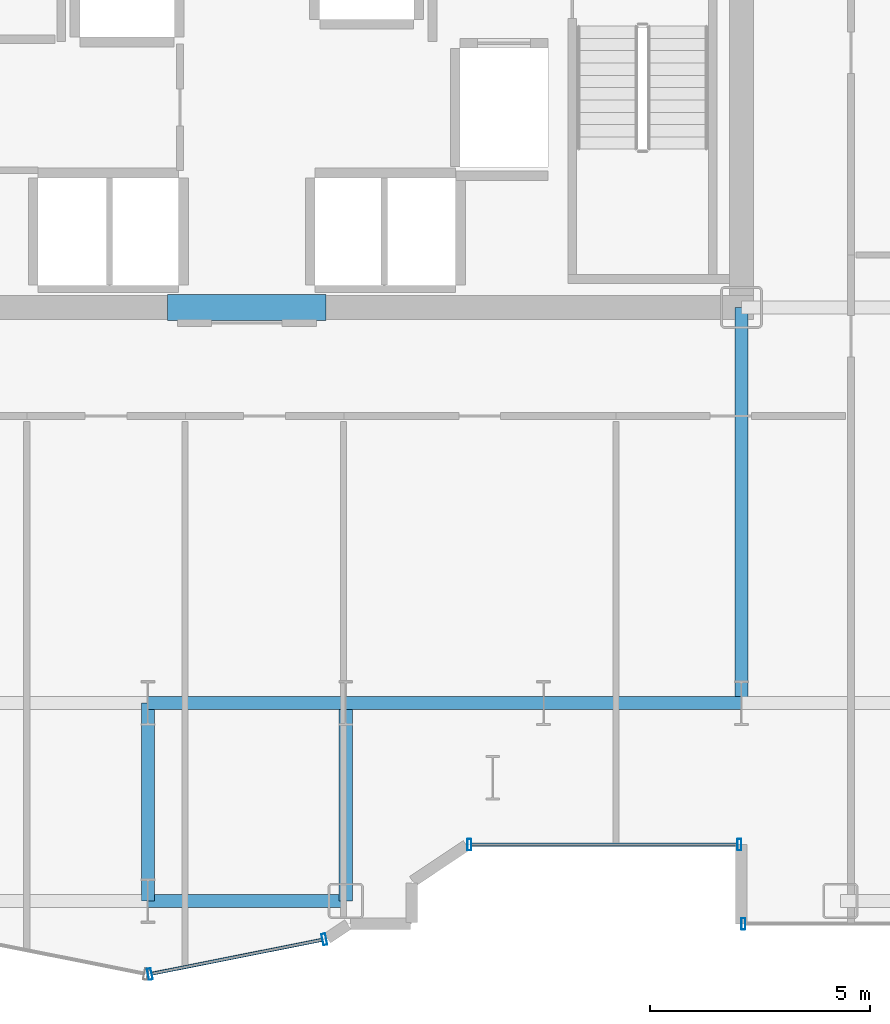
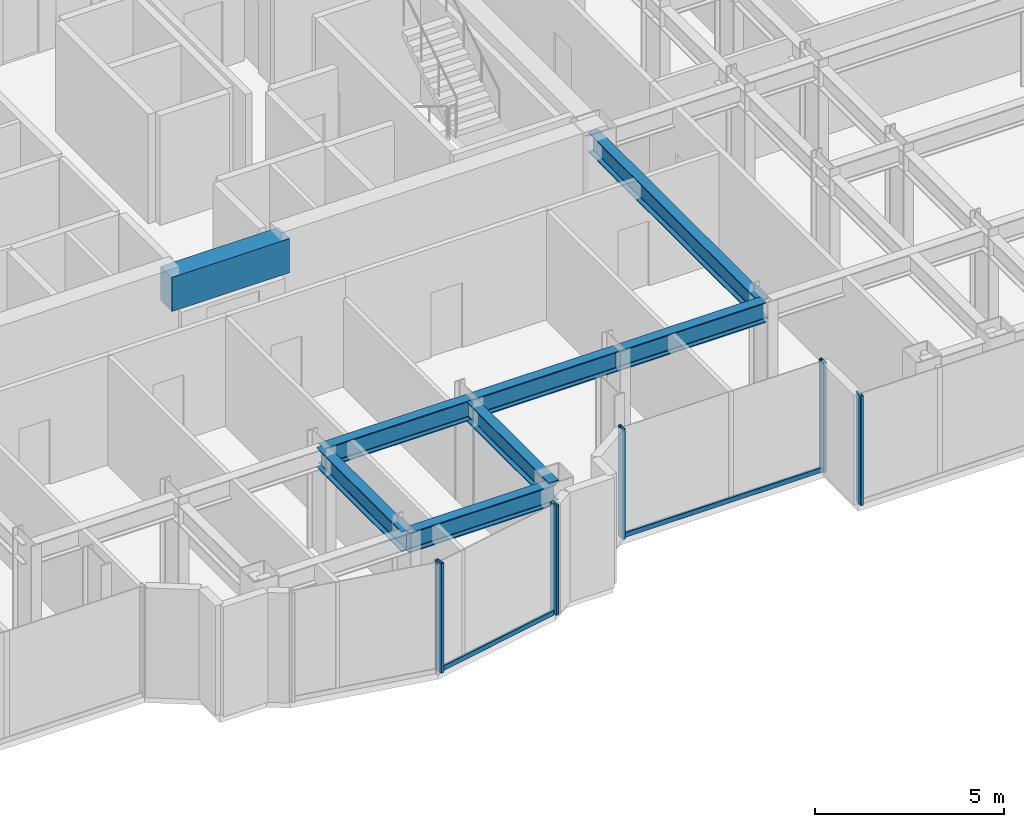
# One storey, part 6 of 26: 8 beams, 7 members, 3 elements without a shape of their own.
"""IFC4 building model written with IfcOpenShell, lengths in metres."""

from ifc_helpers import new_model, si_unit, direction, frame, origin, origin_2d, place, context, subcontext, project, spatial, rectangle, hollow_rectangle, i_section, extrude, source, transform, mapped, material, layer, layer_set, material_profile, profile_set, type_object, element, aggregate, save


model = new_model("IFC4")

# Units and contexts
model_context = context("Model", 3, precision=1e-05, world=origin(), true_north=direction((0.0, 1.0)))
body_context = subcontext(model_context, "Body", "Model", "MODEL_VIEW")
ifc_project = project(units=[si_unit("LENGTHUNIT", "METRE"), si_unit("AREAUNIT", "SQUARE_METRE"), si_unit("VOLUMEUNIT", "CUBIC_METRE"), si_unit("PLANEANGLEUNIT", "RADIAN"), si_unit("MASSUNIT", "GRAM", prefix="KILO")], contexts=[model_context])

# Site, building, storey
site_placement = place(None, origin())
site = spatial("IfcSite", under=ifc_project, at=site_placement, CompositionType="ELEMENT")
building_placement = place(site_placement, origin())
building = spatial("IfcBuilding", under=site, at=building_placement, Name="Nefas-Gora Pilgrimage Tower", CompositionType="ELEMENT")
storey_placement = place(building_placement, frame((0.0, 0.0, 117.39990234375)))
storey = spatial("IfcBuildingStorey", under=building, at=storey_placement, Name="L28", CompositionType="ELEMENT", Elevation=117.39990234375)

# Beams
ifc_material_1 = material(Name="Concrete C60/75", Category="concrete")
ifc_material_profile_1 = material_profile(ifc_material_1, rectangle(XDim=0.60009765625, YDim=1.10009765625, at=origin_2d()), Name="RC 600x1100")
ifc_profile_set_1 = profile_set([ifc_material_profile_1], Name="Concrete C60/75")
beam_type_1 = type_object("IfcBeamType", Name="BM-LIN-RC1100", PredefinedType="LINTEL", material=ifc_profile_set_1)
shared_shape_1 = source(origin(), body_context, "Body", "SweptSolid", [
    extrude(rectangle(XDim=0.60009765625, YDim=1.10009765625, at=origin_2d()), origin(), (0.0, 0.0, 1.0), 3.60009765625),
])
beam_1_placement = place(storey_placement, frame((-1.800048828125, -9.0, 3.0), z_axis=(1.0, 0.0, 0.0), x_axis=(0.0, 1.0, 0.0)))
element("IfcBeam", 1, at=beam_1_placement, inside=storey, type_object=beam_type_1, Name="L28 Core Coupling Lintel Beam S", PredefinedType="LINTEL", context=body_context, shape_type="MappedRepresentation", body=[
    mapped(shared_shape_1, transform((0.0, 0.0, 0.0), x_axis=(1.0, 0.0, 0.0), y_axis=(0.0, 1.0, 0.0), z_axis=(0.0, 0.0, 1.0), scale=1.0)),
])
ifc_material_2 = material(Name="Steel S355", Category="steel")
ifc_material_profile_2 = material_profile(ifc_material_2, i_section(OverallWidth=0.300048828125, OverallDepth=0.64990234375, WebThickness=0.01611328125, FlangeThickness=0.031005859375, FilletRadius=0.027099609375, at=origin_2d()), Name="HEB 650")
ifc_profile_set_2 = profile_set([ifc_material_profile_2], Name="Steel S355")
beam_type_2 = type_object("IfcBeamType", Name="BM-GIR-HEB650", PredefinedType="BEAM", material=ifc_profile_set_2)
shared_shape_2 = source(origin(), body_context, "Body", "SweptSolid", [
    extrude(i_section(OverallWidth=0.300048828125, OverallDepth=0.64990234375, WebThickness=0.01611328125, FlangeThickness=0.031005859375, FilletRadius=0.027099609375, at=origin_2d()), origin(), (0.0, 0.0, 1.0), 9.0),
])
beam_2_placement = place(storey_placement, frame((11.25, -18.0, 3.22509765625), z_axis=(0.0, 1.0, 0.0), x_axis=(-1.0, 0.0, 0.0)))
element("IfcBeam", 2, at=beam_2_placement, inside=storey, type_object=beam_type_2, Name="L28 G-03 beam", PredefinedType="BEAM", context=body_context, shape_type="MappedRepresentation", body=[
    mapped(shared_shape_2, transform((0.0, 0.0, 0.0), x_axis=(1.0, 0.0, 0.0), y_axis=(0.0, 1.0, 0.0), z_axis=(0.0, 0.0, 1.0), scale=1.0)),
])
shared_shape_3 = source(origin(), body_context, "Body", "SweptSolid", [
    extrude(i_section(OverallWidth=0.300048828125, OverallDepth=0.64990234375, WebThickness=0.01611328125, FlangeThickness=0.031005859375, FilletRadius=0.027099609375, at=origin_2d()), origin(), (0.0, 0.0, 1.0), 4.5),
])
for number, where, z_axis, x_axis, name in (
    (3, (-2.25, -22.5, 3.22509765625), (0.0, 1.0, 0.0), (-1.0, 0.0, 0.0), "L28 G-03 beam"),
    (4, (-2.25, -22.5, 3.22509765625), (1.0, 0.0, 0.0), (0.0, 1.0, 0.0), "L28 G-03 beam"),
    (5, (-2.25, -18.0, 3.22509765625), (1.0, 0.0, 0.0), (0.0, 1.0, 0.0), "L28 G-03 beam"),
    (6, (2.25, -22.5, 3.22509765625), (0.0, 1.0, 0.0), (-1.0, 0.0, 0.0), "L28 G-03 beam"),
    (7, (2.25, -18.0, 3.22509765625), (1.0, 0.0, 0.0), (0.0, 1.0, 0.0), "L28 G-03 beam"),
    (8, (6.75, -18.0, 3.22509765625), (1.0, 0.0, 0.0), (0.0, 1.0, 0.0), "L28 G-03 beam"),
):
    element("IfcBeam", number, at=place(storey_placement, frame(where, z_axis=z_axis, x_axis=x_axis)), inside=storey, type_object=beam_type_2, Name=name, PredefinedType="BEAM", context=body_context, shape_type="MappedRepresentation", body=[
        mapped(shared_shape_3, transform((0.0, 0.0, 0.0), x_axis=(1.0, 0.0, 0.0), y_axis=(0.0, 1.0, 0.0), z_axis=(0.0, 0.0, 1.0), scale=1.0)),
    ])

# Curtain wall, members
ifc_material_3 = material(Name="Dark ceramic-fritted solar-control aluminium-glass curtain wall", Category="aluminium")
ifc_layer_1 = layer(ifc_material_3, 0.219970703125)
ifc_layer_set_1 = layer_set([ifc_layer_1], Name="Dark ceramic-fritted solar-control aluminium-glass curtain wall")
curtain_wall_type_1 = type_object("IfcCurtainWallType", Name="CW-SYS-5", PredefinedType="NOTDEFINED", material=ifc_layer_set_1)
curtain_wall_1_placement = place(storey_placement, origin())
curtain_wall_1 = element("IfcCurtainWall", 9, at=curtain_wall_1_placement, inside=storey, type_object=curtain_wall_type_1, Name="L28 Unitised Curtain Wall CW5", PredefinedType="NOTDEFINED")
ifc_material_4 = material(Name="Anodised architectural aluminium", Category="aluminium")
ifc_material_profile_3 = material_profile(ifc_material_4, hollow_rectangle(XDim=0.090087890625, YDim=0.260009765625, WallThickness=0.006103515625, InnerFilletRadius=0.006103515625, OuterFilletRadius=0.011962890625, at=origin_2d()), Name="ALU MULLION 90x260")
ifc_profile_set_3 = profile_set([ifc_material_profile_3], Name="Anodised architectural aluminium")
member_type_1 = type_object("IfcMemberType", Name="CWM-MUL-5", PredefinedType="MULLION", material=ifc_profile_set_3)
shared_shape_4 = source(origin(), body_context, "Body", "SweptSolid", [
    extrude(hollow_rectangle(XDim=0.090087890625, YDim=0.260009765625, WallThickness=0.006103515625, InnerFilletRadius=0.006103515625, OuterFilletRadius=0.011962890625, at=origin_2d()), origin(), (0.0, 0.0, 1.0), 3.550048828125),
])
member_1_placement = place(storey_placement, frame((5.06298828125, -21.219970703125, 0.0), z_axis=(0.0, 0.0, 1.0), x_axis=(1.0, 0.0, 0.0)))
member_1 = element("IfcMember", 10, at=member_1_placement, type_object=member_type_1, Name="CW5 Mullion 1", PredefinedType="MULLION", context=body_context, shape_type="MappedRepresentation", body=[
    mapped(shared_shape_4, transform((0.0, 0.0, 0.0), x_axis=(1.0, 0.0, 0.0), y_axis=(0.0, 1.0, 0.0), z_axis=(0.0, 0.0, 1.0), scale=1.0)),
])
member_2_placement = place(storey_placement, frame((11.205078125, -21.219970703125, 0.0), z_axis=(0.0, 0.0, 1.0), x_axis=(1.0, 0.0, 0.0)))
member_2 = element("IfcMember", 11, at=member_2_placement, type_object=member_type_1, Name="CW5 Mullion 2", PredefinedType="MULLION", context=body_context, shape_type="MappedRepresentation", body=[
    mapped(shared_shape_4, transform((0.0, 0.0, 0.0), x_axis=(1.0, 0.0, 0.0), y_axis=(0.0, 1.0, 0.0), z_axis=(0.0, 0.0, 1.0), scale=1.0)),
])

curtain_wall_2_placement = place(storey_placement, origin())
curtain_wall_2 = element("IfcCurtainWall", 12, at=curtain_wall_2_placement, inside=storey, type_object=curtain_wall_type_1, Name="L28 Unitised Curtain Wall CW5", PredefinedType="NOTDEFINED")
member_3_placement = place(storey_placement, frame((-2.205810546875, -24.16357421875, 0.0), z_axis=(0.0, 0.0, 1.0), x_axis=(0.980782896852, 0.195102304554, 0.0)))
member_3 = element("IfcMember", 13, at=member_3_placement, type_object=member_type_1, Name="CW5 Mullion 1", PredefinedType="MULLION", context=body_context, shape_type="MappedRepresentation", body=[
    mapped(shared_shape_4, transform((0.0, 0.0, 0.0), x_axis=(1.0, 0.0, 0.0), y_axis=(0.0, 1.0, 0.0), z_axis=(0.0, 0.0, 1.0), scale=1.0)),
])
member_4_placement = place(storey_placement, frame((1.76318359375, -23.3740234375, 0.0), z_axis=(0.0, 0.0, 1.0), x_axis=(0.980782896852, 0.195102304554, 0.0)))
member_4 = element("IfcMember", 14, at=member_4_placement, type_object=member_type_1, Name="CW5 Mullion 2", PredefinedType="MULLION", context=body_context, shape_type="MappedRepresentation", body=[
    mapped(shared_shape_4, transform((0.0, 0.0, 0.0), x_axis=(1.0, 0.0, 0.0), y_axis=(0.0, 1.0, 0.0), z_axis=(0.0, 0.0, 1.0), scale=1.0)),
])

# Member
ifc_material_profile_4 = material_profile(ifc_material_4, hollow_rectangle(XDim=0.080078125, YDim=0.159912109375, WallThickness=0.00439453125, InnerFilletRadius=0.00439453125, OuterFilletRadius=0.009033203125, at=origin_2d()), Name="ALU TRANSOM 80x160")
ifc_profile_set_4 = profile_set([ifc_material_profile_4], Name="Anodised architectural aluminium")
member_type_2 = type_object("IfcMemberType", Name="CWM-TRN-5", PredefinedType="USERDEFINED", material=ifc_profile_set_4)
shared_shape_5 = source(origin(), body_context, "Body", "SweptSolid", [
    extrude(hollow_rectangle(XDim=0.080078125, YDim=0.159912109375, WallThickness=0.00439453125, InnerFilletRadius=0.00439453125, OuterFilletRadius=0.009033203125, at=origin_2d()), origin(), (0.0, 0.0, 1.0), 6.052001953125),
])
member_5_placement = place(storey_placement, frame((5.10791015625, -21.219970703125, 0.050048828125), z_axis=(1.0, 0.0, 0.0), x_axis=(0.0, 1.0, 0.0)))
member_5 = element("IfcMember", 15, at=member_5_placement, type_object=member_type_2, Name="CW5 Spandrel Transom", ObjectType="TRANSOM", PredefinedType="USERDEFINED", context=body_context, shape_type="MappedRepresentation", body=[
    mapped(shared_shape_5, transform((0.0, 0.0, 0.0), x_axis=(1.0, 0.0, 0.0), y_axis=(0.0, 1.0, 0.0), z_axis=(0.0, 0.0, 1.0), scale=1.0)),
])

aggregate(curtain_wall_1, [member_1, member_2, member_5])

# Curtain wall, member
ifc_layer_2 = layer(ifc_material_3, 0.219970703125)
ifc_layer_set_2 = layer_set([ifc_layer_2], Name="Dark ceramic-fritted solar-control aluminium-glass curtain wall")
curtain_wall_type_2 = type_object("IfcCurtainWallType", Name="CW-SYS-2", PredefinedType="NOTDEFINED", material=ifc_layer_set_2)
curtain_wall_3_placement = place(storey_placement, origin())
curtain_wall_3 = element("IfcCurtainWall", 16, at=curtain_wall_3_placement, inside=storey, type_object=curtain_wall_type_2, Name="L28 Unitised Curtain Wall CW2", PredefinedType="NOTDEFINED")
ifc_material_profile_5 = material_profile(ifc_material_4, hollow_rectangle(XDim=0.090087890625, YDim=0.260009765625, WallThickness=0.006103515625, InnerFilletRadius=0.006103515625, OuterFilletRadius=0.011962890625, at=origin_2d()), Name="ALU MULLION 90x260")
ifc_profile_set_5 = profile_set([ifc_material_profile_5], Name="Anodised architectural aluminium")
member_type_3 = type_object("IfcMemberType", Name="CWM-MUL-2", PredefinedType="MULLION", material=ifc_profile_set_5)
shared_shape_6 = source(origin(), body_context, "Body", "SweptSolid", [
    extrude(hollow_rectangle(XDim=0.090087890625, YDim=0.260009765625, WallThickness=0.006103515625, InnerFilletRadius=0.006103515625, OuterFilletRadius=0.011962890625, at=origin_2d()), origin(), (0.0, 0.0, 1.0), 3.550048828125),
])
member_6_placement = place(storey_placement, frame((11.294921875, -23.02001953125, 0.0), z_axis=(0.0, 0.0, 1.0), x_axis=(1.0, 0.0, 0.0)))
member_6 = element("IfcMember", 17, at=member_6_placement, type_object=member_type_3, Name="CW2 Mullion 1", PredefinedType="MULLION", context=body_context, shape_type="MappedRepresentation", body=[
    mapped(shared_shape_6, transform((0.0, 0.0, 0.0), x_axis=(1.0, 0.0, 0.0), y_axis=(0.0, 1.0, 0.0), z_axis=(0.0, 0.0, 1.0), scale=1.0)),
])
aggregate(curtain_wall_3, [member_6])

# Member
shared_shape_7 = source(origin(), body_context, "Body", "SweptSolid", [
    extrude(hollow_rectangle(XDim=0.080078125, YDim=0.159912109375, WallThickness=0.00439453125, InnerFilletRadius=0.00439453125, OuterFilletRadius=0.009033203125, at=origin_2d()), origin(), (0.0, 0.0, 1.0), 3.95654296875),
])
member_7_placement = place(storey_placement, frame((-2.16162109375, -24.15478515625, 0.050048828125), z_axis=(0.980781880918, 0.195107411605, 0.0), x_axis=(-0.195107411605, 0.980781880918, 0.0)))
member_7 = element("IfcMember", 18, at=member_7_placement, type_object=member_type_2, Name="CW5 Spandrel Transom", ObjectType="TRANSOM", PredefinedType="USERDEFINED", context=body_context, shape_type="MappedRepresentation", body=[
    mapped(shared_shape_7, transform((0.0, 0.0, 0.0), x_axis=(1.0, 0.0, 0.0), y_axis=(0.0, 1.0, 0.0), z_axis=(0.0, 0.0, 1.0), scale=1.0)),
])

aggregate(curtain_wall_2, [member_3, member_4, member_7])

save(model, "model.ifc")
